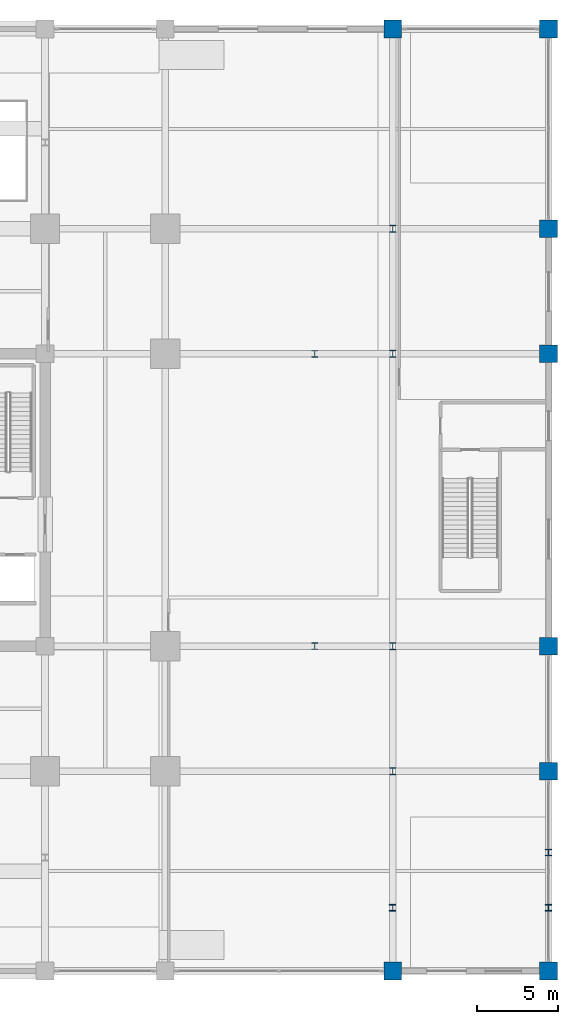
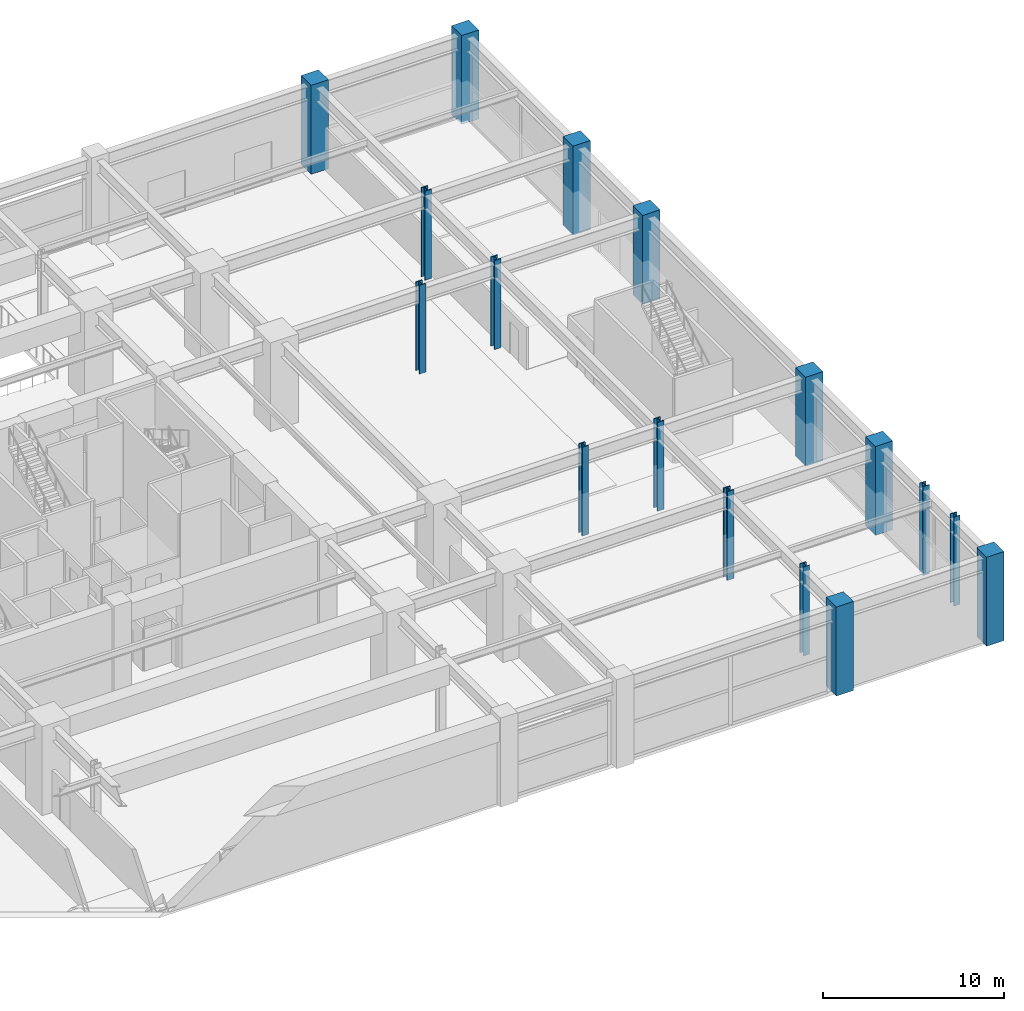
# One storey, part 3 of 41: 17 columns.
"""IFC4 building model written with IfcOpenShell, lengths in metres."""

from ifc_helpers import new_model, si_unit, direction, frame, origin, origin_2d, place, context, subcontext, project, spatial, rectangle, i_section, extrude, material, material_profile, profile_set, type_object, element, save


model = new_model("IFC4")

# Units and contexts
model_context = context("Model", 3, precision=1e-05, world=origin(), true_north=direction((0.0, 1.0)))
body_context = subcontext(model_context, "Body", "Model", "MODEL_VIEW")
ifc_project = project(units=[si_unit("LENGTHUNIT", "METRE"), si_unit("AREAUNIT", "SQUARE_METRE"), si_unit("VOLUMEUNIT", "CUBIC_METRE"), si_unit("PLANEANGLEUNIT", "RADIAN"), si_unit("MASSUNIT", "GRAM", prefix="KILO")], contexts=[model_context])

# Site, building, storey
site_placement = place(None, origin())
site = spatial("IfcSite", under=ifc_project, at=site_placement, CompositionType="ELEMENT")
building_placement = place(site_placement, origin())
building = spatial("IfcBuilding", under=site, at=building_placement, Name="Kovane Verandah Tower", CompositionType="ELEMENT")
storey_placement = place(building_placement, origin())
storey = spatial("IfcBuildingStorey", under=building, at=storey_placement, Name="L00", CompositionType="ELEMENT", Elevation=0.0)

# Columns
ifc_material_1 = material(Name="Concrete C60/75", Category="concrete")
ifc_material_profile_1 = material_profile(ifc_material_1, rectangle(XDim=1.10009765625, YDim=1.10009765625, at=origin_2d()), Name="RC1100x1100")
ifc_profile_set_1 = profile_set([ifc_material_profile_1], Name="Concrete C60/75")
column_type_1 = type_object("IfcColumnType", Name="COL-POD1100", PredefinedType="COLUMN", material=ifc_profile_set_1)
for number, where, z_axis, x_axis, name in (
    (1, (82.0, -1.5, 0.0), (0.0, 0.0, 1.0), (1.0, 0.0, 0.0), "L00 Podium Column PC-E0"),
    (2, (82.0, 10.800048828125, 0.0), (0.0, 0.0, 1.0), (1.0, 0.0, 0.0), "L00 Podium Column PC-E1"),
    (3, (82.0, 18.5, 0.0), (0.0, 0.0, 1.0), (1.0, 0.0, 0.0), "L00 Podium Column PC-E2"),
    (4, (82.0, 36.5, 0.0), (0.0, 0.0, 1.0), (1.0, 0.0, 0.0), "L00 Podium Column PC-E3"),
    (5, (82.0, 44.199951171875, 0.0), (0.0, 0.0, 1.0), (1.0, 0.0, 0.0), "L00 Podium Column PC-E4"),
    (6, (82.0, 56.5, 0.0), (0.0, 0.0, 1.0), (1.0, 0.0, 0.0), "L00 Podium Column PC-E5"),
    (7, (72.39990234375, -1.5, 0.0), (0.0, 0.0, 1.0), (1.0, 0.0, 0.0), "L00 Podium Column PC-S6"),
    (8, (72.39990234375, 56.5, 0.0), (0.0, 0.0, 1.0), (1.0, 0.0, 0.0), "L00 Podium Column PC-N6"),
):
    element("IfcColumn", number, at=place(storey_placement, frame(where, z_axis=z_axis, x_axis=x_axis)), inside=storey, type_object=column_type_1, Name=name, PredefinedType="COLUMN", context=body_context, shape_type="SweptSolid", body=[
        extrude(rectangle(XDim=1.10009765625, YDim=1.10009765625, at=origin_2d()), origin(), (0.0, 0.0, 1.0), 6.0),
    ])
ifc_material_2 = material(Name="Steel S460", Category="steel")
ifc_material_profile_2 = material_profile(ifc_material_2, i_section(OverallWidth=0.403076171875, OverallDepth=0.406494140625, WebThickness=0.026611328125, FlangeThickness=0.04296875, FilletRadius=0.01513671875, at=origin_2d()), Name="UC356x406x340")
ifc_profile_set_2 = profile_set([ifc_material_profile_2], Name="Steel S460")
column_type_2 = type_object("IfcColumnType", Name="COL-UC340", PredefinedType="COLUMN", material=ifc_profile_set_2)
for number, where, z_axis, x_axis, name in (
    (9, (72.39990234375, 2.39990234375, 0.0), (0.0, 0.0, 1.0), (1.0, 0.0, 0.0), "L00 South Terrace Step Column S1-3"),
    (10, (82.0, 2.39990234375, 0.0), (0.0, 0.0, 1.0), (1.0, 0.0, 0.0), "L00 South Terrace Step Column S1-4"),
    (11, (82.0, 5.800048828125, 0.0), (0.0, 0.0, 1.0), (1.0, 0.0, 0.0), "L00 South Terrace Step Column S2-2"),
):
    element("IfcColumn", number, at=place(storey_placement, frame(where, z_axis=z_axis, x_axis=x_axis)), inside=storey, type_object=column_type_2, Name=name, PredefinedType="COLUMN", context=body_context, shape_type="SweptSolid", body=[
        extrude(i_section(OverallWidth=0.403076171875, OverallDepth=0.406494140625, WebThickness=0.026611328125, FlangeThickness=0.04296875, FilletRadius=0.01513671875, at=origin_2d()), origin(), (0.0, 0.0, 1.0), 6.0),
    ])
ifc_material_profile_3 = material_profile(ifc_material_2, i_section(OverallWidth=0.412109375, OverallDepth=0.4365234375, WebThickness=0.035888671875, FlangeThickness=0.05810546875, FilletRadius=0.01513671875, at=origin_2d()), Name="UC356x406x467")
ifc_profile_set_3 = profile_set([ifc_material_profile_3], Name="Steel S460")
column_type_3 = type_object("IfcColumnType", Name="COL-UC467", PredefinedType="COLUMN", material=ifc_profile_set_3)
for number, where, z_axis, x_axis, name in (
    (12, (67.60009765625, 18.5, 0.0), (0.0, 0.0, 1.0), (1.0, 0.0, 0.0), "L00 Verandah Perimeter Column VC-E1"),
    (13, (67.60009765625, 36.5, 0.0), (0.0, 0.0, 1.0), (1.0, 0.0, 0.0), "L00 Verandah Perimeter Column VC-E2"),
):
    element("IfcColumn", number, at=place(storey_placement, frame(where, z_axis=z_axis, x_axis=x_axis)), inside=storey, type_object=column_type_3, Name=name, PredefinedType="COLUMN", context=body_context, shape_type="SweptSolid", body=[
        extrude(i_section(OverallWidth=0.412109375, OverallDepth=0.4365234375, WebThickness=0.035888671875, FlangeThickness=0.05810546875, FilletRadius=0.01513671875, at=origin_2d()), origin(), (0.0, 0.0, 1.0), 6.0),
    ])
ifc_material_3 = material(Name="Steel S355", Category="steel")
ifc_material_profile_4 = material_profile(ifc_material_3, i_section(OverallWidth=0.41845703125, OverallDepth=0.45556640625, WebThickness=0.0419921875, FlangeThickness=0.0673828125, FilletRadius=0.01513671875, at=origin_2d()), Name="UC356x406x551")
ifc_profile_set_4 = profile_set([ifc_material_profile_4], Name="Steel S355")
column_type_4 = type_object("IfcColumnType", Name="COL-UC551", PredefinedType="COLUMN", material=ifc_profile_set_4)
for number, where, z_axis, x_axis, name in (
    (14, (72.39990234375, 10.800048828125, 0.0), (0.0, 0.0, 1.0), (1.0, 0.0, 0.0), "L00 Podium Column PC-ME1"),
    (15, (72.39990234375, 18.5, 0.0), (0.0, 0.0, 1.0), (1.0, 0.0, 0.0), "L00 Podium Column PC-ME2"),
    (16, (72.39990234375, 36.5, 0.0), (0.0, 0.0, 1.0), (1.0, 0.0, 0.0), "L00 Podium Column PC-ME3"),
    (17, (72.39990234375, 44.199951171875, 0.0), (0.0, 0.0, 1.0), (1.0, 0.0, 0.0), "L00 Podium Column PC-ME4"),
):
    element("IfcColumn", number, at=place(storey_placement, frame(where, z_axis=z_axis, x_axis=x_axis)), inside=storey, type_object=column_type_4, Name=name, PredefinedType="COLUMN", context=body_context, shape_type="SweptSolid", body=[
        extrude(i_section(OverallWidth=0.41845703125, OverallDepth=0.45556640625, WebThickness=0.0419921875, FlangeThickness=0.0673828125, FilletRadius=0.01513671875, at=origin_2d()), origin(), (0.0, 0.0, 1.0), 6.0),
    ])

save(model, "model.ifc")
